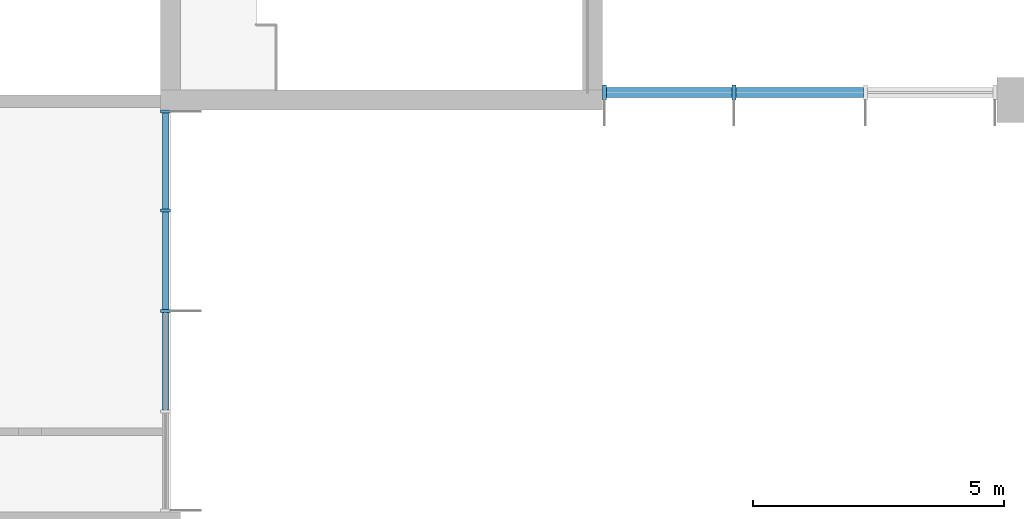
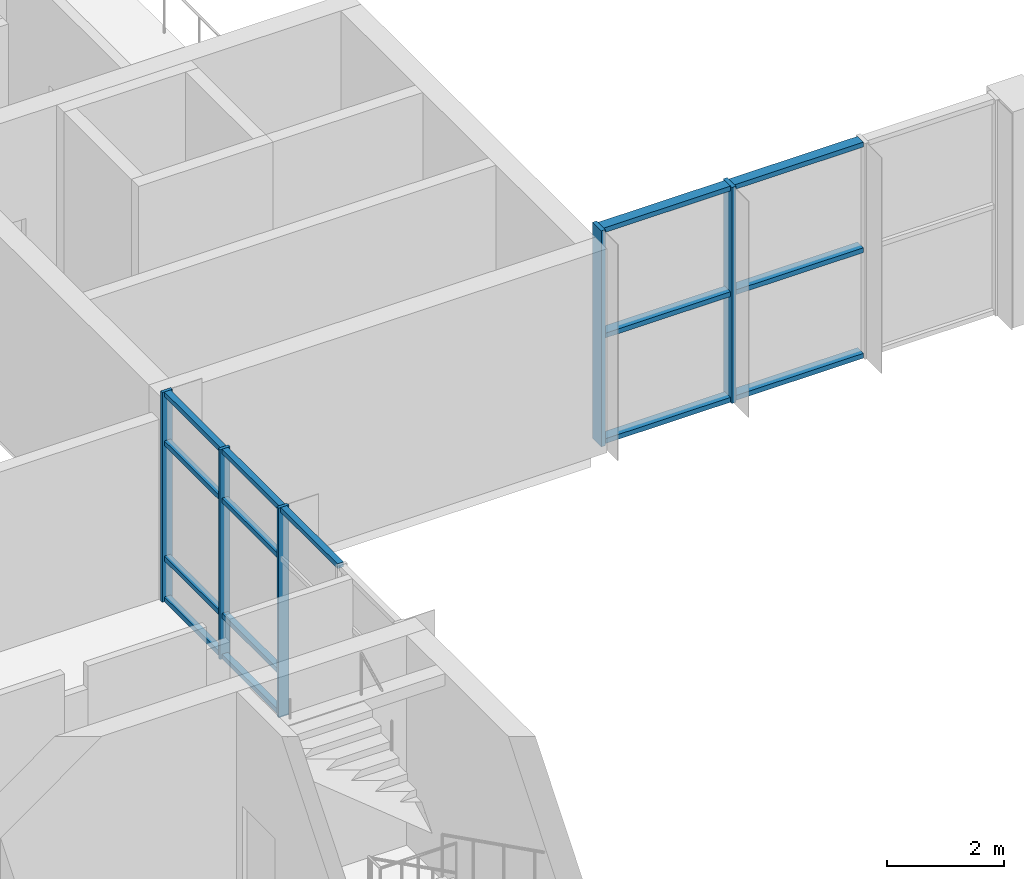
# One storey, part 9 of 70: 20 members, 2 elements without a shape of their own.
"""IFC4 building model written with IfcOpenShell, lengths in metres."""

from ifc_helpers import new_model, si_unit, direction, frame, origin, origin_2d, place, context, subcontext, project, spatial, rectangle, extrude, material, material_profile, profile_set, type_object, element, aggregate, save


model = new_model("IFC4")

# Units and contexts
model_context = context("Model", 3, precision=1e-05, world=origin(), true_north=direction((0.0, 1.0)))
body_context = subcontext(model_context, "Body", "Model", "MODEL_VIEW")
ifc_project = project(units=[si_unit("LENGTHUNIT", "METRE"), si_unit("AREAUNIT", "SQUARE_METRE"), si_unit("VOLUMEUNIT", "CUBIC_METRE"), si_unit("PLANEANGLEUNIT", "RADIAN"), si_unit("MASSUNIT", "GRAM", prefix="KILO")], contexts=[model_context])

# Site, building, storey
site_placement = place(None, origin())
site = spatial("IfcSite", under=ifc_project, at=site_placement, CompositionType="ELEMENT")
building_placement = place(site_placement, origin())
building = spatial("IfcBuilding", under=site, at=building_placement, Name="Hlaing Beacon Police Headquarters", CompositionType="ELEMENT")
storey_placement = place(building_placement, frame((0.0, 0.0, 5.39990234375)))
storey = spatial("IfcBuildingStorey", under=building, at=storey_placement, Name="L01", CompositionType="ELEMENT", Elevation=5.39990234375)

# Curtain wall, members
ifc_material_1 = material(Name="Aluminium frame with solar control glazing", Category="aluminium")
curtain_wall_type_1 = type_object("IfcCurtainWallType", Name="Unitised curtain wall 8.00 x 4.37", PredefinedType="NOTDEFINED", material=ifc_material_1)
curtain_wall_1_placement = place(storey_placement, origin())
curtain_wall_1 = element("IfcCurtainWall", 1, at=curtain_wall_1_placement, inside=storey, type_object=curtain_wall_type_1, Name="ENV-CW-L01-E018", PredefinedType="NOTDEFINED")
ifc_material_2 = material(Name="Aluminium", Category="aluminium")
ifc_material_profile_1 = material_profile(ifc_material_2, rectangle(XDim=0.199951171875, YDim=0.06005859375, at=origin_2d()), Name="Mullion 60x200")
ifc_profile_set_1 = profile_set([ifc_material_profile_1], Name="Aluminium")
member_type_1 = type_object("IfcMemberType", Name="Mullion 60x200", PredefinedType="MULLION", material=ifc_profile_set_1)
member_1_placement = place(storey_placement, frame((58.699951171875, 29.39990234375, 0.0), z_axis=(0.0, 0.0, 1.0), x_axis=(-1.0, 0.0, 0.0)))
member_1 = element("IfcMember", 2, at=member_1_placement, type_object=member_type_1, Name="CW-L01-E018 mullion 3", PredefinedType="MULLION", context=body_context, shape_type="SweptSolid", body=[
    extrude(rectangle(XDim=0.199951171875, YDim=0.06005859375, at=origin_2d()), origin(), (0.0, 0.0, 1.0), 4.3701171875),
])
member_2_placement = place(storey_placement, frame((58.699951171875, 31.39990234375, 0.0), z_axis=(0.0, 0.0, 1.0), x_axis=(-1.0, 0.0, 0.0)))
member_2 = element("IfcMember", 3, at=member_2_placement, type_object=member_type_1, Name="CW-L01-E018 mullion 4", PredefinedType="MULLION", context=body_context, shape_type="SweptSolid", body=[
    extrude(rectangle(XDim=0.199951171875, YDim=0.06005859375, at=origin_2d()), origin(), (0.0, 0.0, 1.0), 4.3701171875),
])
member_3_placement = place(storey_placement, frame((58.699951171875, 33.3701171875, 0.0), z_axis=(0.0, 0.0, 1.0), x_axis=(-1.0, 0.0, 0.0)))
member_3 = element("IfcMember", 4, at=member_3_placement, type_object=member_type_1, Name="CW-L01-E018 mullion 5", PredefinedType="MULLION", context=body_context, shape_type="SweptSolid", body=[
    extrude(rectangle(XDim=0.199951171875, YDim=0.06005859375, at=origin_2d()), origin(), (0.0, 0.0, 1.0), 4.3701171875),
])

ifc_material_3 = material(Name="Aluminium frame with solar control glazing", Category="aluminium")
curtain_wall_type_2 = type_object("IfcCurtainWallType", Name="Structural glazed gable wall 7.85 x 4.50", PredefinedType="NOTDEFINED", material=ifc_material_3)
curtain_wall_2_placement = place(storey_placement, origin())
curtain_wall_2 = element("IfcCurtainWall", 5, at=curtain_wall_2_placement, inside=storey, type_object=curtain_wall_type_2, Name="ENV-CW-L01-S009", PredefinedType="NOTDEFINED")
ifc_material_4 = material(Name="Aluminium", Category="aluminium")
ifc_material_profile_2 = material_profile(ifc_material_4, rectangle(XDim=0.300048828125, YDim=0.080078125, at=origin_2d()), Name="Mullion 80x300")
ifc_profile_set_2 = profile_set([ifc_material_profile_2], Name="Aluminium")
member_type_2 = type_object("IfcMemberType", Name="Mullion 80x300", PredefinedType="MULLION", material=ifc_profile_set_2)
member_4_placement = place(storey_placement, frame((67.43994140625, 33.75, 0.0), z_axis=(0.0, 0.0, 1.0), x_axis=(0.0, 1.0, 0.0)))
member_4 = element("IfcMember", 6, at=member_4_placement, type_object=member_type_2, Name="CW-L01-S009 mullion 1", PredefinedType="MULLION", context=body_context, shape_type="SweptSolid", body=[
    extrude(rectangle(XDim=0.300048828125, YDim=0.080078125, at=origin_2d()), origin(), (0.0, 0.0, 1.0), 4.5),
])
member_5_placement = place(storey_placement, frame((70.0166015625, 33.75, 0.0), z_axis=(0.0, 0.0, 1.0), x_axis=(0.0, 1.0, 0.0)))
member_5 = element("IfcMember", 7, at=member_5_placement, type_object=member_type_2, Name="CW-L01-S009 mullion 2", PredefinedType="MULLION", context=body_context, shape_type="SweptSolid", body=[
    extrude(rectangle(XDim=0.300048828125, YDim=0.080078125, at=origin_2d()), origin(), (0.0, 0.0, 1.0), 4.5),
])

# Member
ifc_material_5 = material(Name="Aluminium", Category="aluminium")
ifc_material_profile_3 = material_profile(ifc_material_5, rectangle(XDim=0.1201171875, YDim=0.10009765625, at=origin_2d()), Name="Transom 120x100")
ifc_profile_set_3 = profile_set([ifc_material_profile_3], Name="Aluminium")
member_type_3 = type_object("IfcMemberType", Name="Transom 120x100", PredefinedType="USERDEFINED", material=ifc_profile_set_3)
member_6_placement = place(storey_placement, frame((58.699951171875, 27.429931640625, 4.320068359375), z_axis=(0.0, 1.0, 0.0), x_axis=(-1.0, 0.0, 0.0)))
member_6 = element("IfcMember", 8, at=member_6_placement, type_object=member_type_3, Name="CW-L01-E018 transom 2.4", ObjectType="TRANSOM", PredefinedType="USERDEFINED", context=body_context, shape_type="SweptSolid", body=[
    extrude(rectangle(XDim=0.1201171875, YDim=0.10009765625, at=origin_2d()), origin(), (0.0, 0.0, 1.0), 1.940185546875),
])

member_7_placement = place(storey_placement, frame((58.699951171875, 29.429931640625, 0.050048828125), z_axis=(0.0, 1.0, 0.0), x_axis=(-1.0, 0.0, 0.0)))
member_7 = element("IfcMember", 9, at=member_7_placement, type_object=member_type_3, Name="CW-L01-E018 transom 3.1", ObjectType="TRANSOM", PredefinedType="USERDEFINED", context=body_context, shape_type="SweptSolid", body=[
    extrude(rectangle(XDim=0.1201171875, YDim=0.10009765625, at=origin_2d()), origin(), (0.0, 0.0, 1.0), 1.940185546875),
])

member_8_placement = place(storey_placement, frame((58.699951171875, 29.429931640625, 0.900146484375), z_axis=(0.0, 1.0, 0.0), x_axis=(-1.0, 0.0, 0.0)))
member_8 = element("IfcMember", 10, at=member_8_placement, type_object=member_type_3, Name="CW-L01-E018 transom 3.2", ObjectType="TRANSOM", PredefinedType="USERDEFINED", context=body_context, shape_type="SweptSolid", body=[
    extrude(rectangle(XDim=0.1201171875, YDim=0.10009765625, at=origin_2d()), origin(), (0.0, 0.0, 1.0), 1.940185546875),
])

member_9_placement = place(storey_placement, frame((58.699951171875, 29.429931640625, 3.300048828125), z_axis=(0.0, 1.0, 0.0), x_axis=(-1.0, 0.0, 0.0)))
member_9 = element("IfcMember", 11, at=member_9_placement, type_object=member_type_3, Name="CW-L01-E018 transom 3.3", ObjectType="TRANSOM", PredefinedType="USERDEFINED", context=body_context, shape_type="SweptSolid", body=[
    extrude(rectangle(XDim=0.1201171875, YDim=0.10009765625, at=origin_2d()), origin(), (0.0, 0.0, 1.0), 1.940185546875),
])

member_10_placement = place(storey_placement, frame((58.699951171875, 29.429931640625, 4.320068359375), z_axis=(0.0, 1.0, 0.0), x_axis=(-1.0, 0.0, 0.0)))
member_10 = element("IfcMember", 12, at=member_10_placement, type_object=member_type_3, Name="CW-L01-E018 transom 3.4", ObjectType="TRANSOM", PredefinedType="USERDEFINED", context=body_context, shape_type="SweptSolid", body=[
    extrude(rectangle(XDim=0.1201171875, YDim=0.10009765625, at=origin_2d()), origin(), (0.0, 0.0, 1.0), 1.940185546875),
])

member_11_placement = place(storey_placement, frame((58.699951171875, 31.429931640625, 0.050048828125), z_axis=(0.0, 1.0, 0.0), x_axis=(-1.0, 0.0, 0.0)))
member_11 = element("IfcMember", 13, at=member_11_placement, type_object=member_type_3, Name="CW-L01-E018 transom 4.1", ObjectType="TRANSOM", PredefinedType="USERDEFINED", context=body_context, shape_type="SweptSolid", body=[
    extrude(rectangle(XDim=0.1201171875, YDim=0.10009765625, at=origin_2d()), origin(), (0.0, 0.0, 1.0), 1.91015625),
])

member_12_placement = place(storey_placement, frame((58.699951171875, 31.429931640625, 0.900146484375), z_axis=(0.0, 1.0, 0.0), x_axis=(-1.0, 0.0, 0.0)))
member_12 = element("IfcMember", 14, at=member_12_placement, type_object=member_type_3, Name="CW-L01-E018 transom 4.2", ObjectType="TRANSOM", PredefinedType="USERDEFINED", context=body_context, shape_type="SweptSolid", body=[
    extrude(rectangle(XDim=0.1201171875, YDim=0.10009765625, at=origin_2d()), origin(), (0.0, 0.0, 1.0), 1.91015625),
])

member_13_placement = place(storey_placement, frame((58.699951171875, 31.429931640625, 3.300048828125), z_axis=(0.0, 1.0, 0.0), x_axis=(-1.0, 0.0, 0.0)))
member_13 = element("IfcMember", 15, at=member_13_placement, type_object=member_type_3, Name="CW-L01-E018 transom 4.3", ObjectType="TRANSOM", PredefinedType="USERDEFINED", context=body_context, shape_type="SweptSolid", body=[
    extrude(rectangle(XDim=0.1201171875, YDim=0.10009765625, at=origin_2d()), origin(), (0.0, 0.0, 1.0), 1.91015625),
])

member_14_placement = place(storey_placement, frame((58.699951171875, 31.429931640625, 4.320068359375), z_axis=(0.0, 1.0, 0.0), x_axis=(-1.0, 0.0, 0.0)))
member_14 = element("IfcMember", 16, at=member_14_placement, type_object=member_type_3, Name="CW-L01-E018 transom 4.4", ObjectType="TRANSOM", PredefinedType="USERDEFINED", context=body_context, shape_type="SweptSolid", body=[
    extrude(rectangle(XDim=0.1201171875, YDim=0.10009765625, at=origin_2d()), origin(), (0.0, 0.0, 1.0), 1.91015625),
])

aggregate(curtain_wall_1, [member_1, member_2, member_3, member_6, member_7, member_8, member_9, member_10, member_11, member_12, member_13, member_14])

ifc_material_6 = material(Name="Aluminium", Category="aluminium")
ifc_material_profile_4 = material_profile(ifc_material_6, rectangle(XDim=0.199951171875, YDim=0.10009765625, at=origin_2d()), Name="Transom 200x100")
ifc_profile_set_4 = profile_set([ifc_material_profile_4], Name="Aluminium")
member_type_4 = type_object("IfcMemberType", Name="Transom 200x100", PredefinedType="USERDEFINED", material=ifc_profile_set_4)
member_15_placement = place(storey_placement, frame((67.47998046875, 33.75, 0.050048828125), z_axis=(1.0, 0.0, 0.0), x_axis=(0.0, 1.0, 0.0)))
member_15 = element("IfcMember", 17, at=member_15_placement, type_object=member_type_4, Name="CW-L01-S009 transom 1.1", ObjectType="TRANSOM", PredefinedType="USERDEFINED", context=body_context, shape_type="SweptSolid", body=[
    extrude(rectangle(XDim=0.199951171875, YDim=0.10009765625, at=origin_2d()), origin(), (0.0, 0.0, 1.0), 2.49658203125),
])

member_16_placement = place(storey_placement, frame((67.47998046875, 33.75, 2.25), z_axis=(1.0, 0.0, 0.0), x_axis=(0.0, 1.0, 0.0)))
member_16 = element("IfcMember", 18, at=member_16_placement, type_object=member_type_4, Name="CW-L01-S009 transom 1.2", ObjectType="TRANSOM", PredefinedType="USERDEFINED", context=body_context, shape_type="SweptSolid", body=[
    extrude(rectangle(XDim=0.199951171875, YDim=0.10009765625, at=origin_2d()), origin(), (0.0, 0.0, 1.0), 2.49658203125),
])

member_17_placement = place(storey_placement, frame((67.47998046875, 33.75, 4.4501953125), z_axis=(1.0, 0.0, 0.0), x_axis=(0.0, 1.0, 0.0)))
member_17 = element("IfcMember", 19, at=member_17_placement, type_object=member_type_4, Name="CW-L01-S009 transom 1.3", ObjectType="TRANSOM", PredefinedType="USERDEFINED", context=body_context, shape_type="SweptSolid", body=[
    extrude(rectangle(XDim=0.199951171875, YDim=0.10009765625, at=origin_2d()), origin(), (0.0, 0.0, 1.0), 2.49658203125),
])

member_18_placement = place(storey_placement, frame((70.056640625, 33.75, 0.050048828125), z_axis=(1.0, 0.0, 0.0), x_axis=(0.0, 1.0, 0.0)))
member_18 = element("IfcMember", 20, at=member_18_placement, type_object=member_type_4, Name="CW-L01-S009 transom 2.1", ObjectType="TRANSOM", PredefinedType="USERDEFINED", context=body_context, shape_type="SweptSolid", body=[
    extrude(rectangle(XDim=0.199951171875, YDim=0.10009765625, at=origin_2d()), origin(), (0.0, 0.0, 1.0), 2.53662109375),
])

member_19_placement = place(storey_placement, frame((70.056640625, 33.75, 2.25), z_axis=(1.0, 0.0, 0.0), x_axis=(0.0, 1.0, 0.0)))
member_19 = element("IfcMember", 21, at=member_19_placement, type_object=member_type_4, Name="CW-L01-S009 transom 2.2", ObjectType="TRANSOM", PredefinedType="USERDEFINED", context=body_context, shape_type="SweptSolid", body=[
    extrude(rectangle(XDim=0.199951171875, YDim=0.10009765625, at=origin_2d()), origin(), (0.0, 0.0, 1.0), 2.53662109375),
])

member_20_placement = place(storey_placement, frame((70.056640625, 33.75, 4.4501953125), z_axis=(1.0, 0.0, 0.0), x_axis=(0.0, 1.0, 0.0)))
member_20 = element("IfcMember", 22, at=member_20_placement, type_object=member_type_4, Name="CW-L01-S009 transom 2.3", ObjectType="TRANSOM", PredefinedType="USERDEFINED", context=body_context, shape_type="SweptSolid", body=[
    extrude(rectangle(XDim=0.199951171875, YDim=0.10009765625, at=origin_2d()), origin(), (0.0, 0.0, 1.0), 2.53662109375),
])

aggregate(curtain_wall_2, [member_4, member_5, member_15, member_16, member_17, member_18, member_19, member_20])

save(model, "model.ifc")
